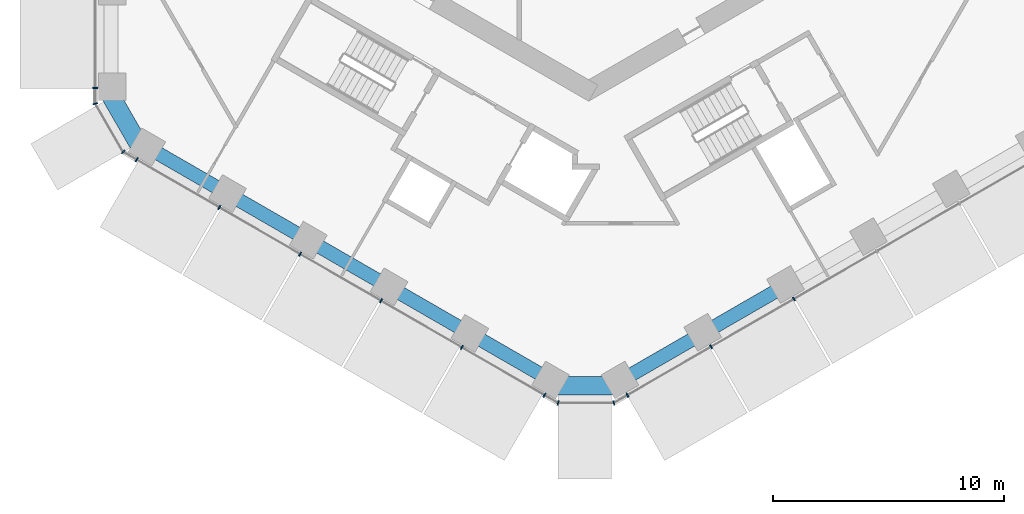
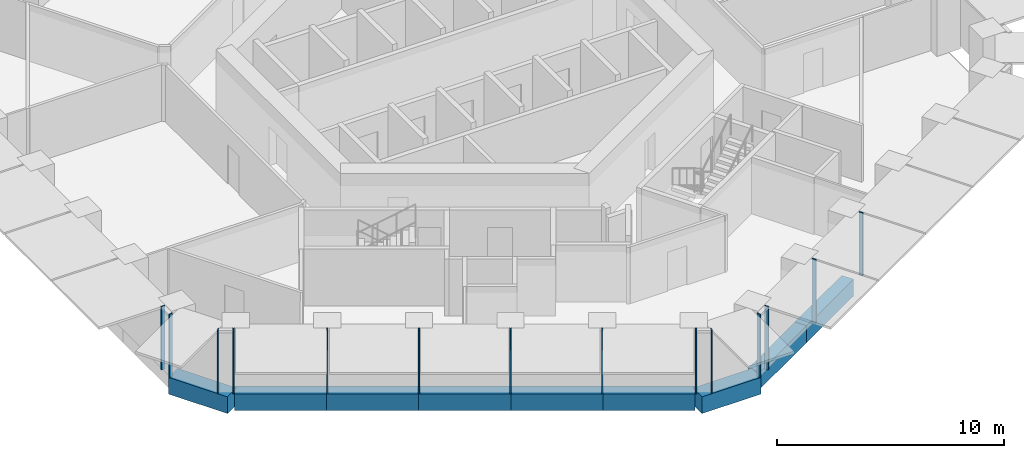
# One storey, part 2 of 19: 14 members, 9 beams, 5 elements without a shape of their own.
"""IFC4 building model written with IfcOpenShell, lengths in metres."""

from ifc_helpers import new_model, si_unit, direction, frame, origin, origin_2d, place, context, subcontext, project, spatial, rectangle, extrude, material, layer, layer_set, material_profile, profile_set, type_object, element, aggregate, save


model = new_model("IFC4")

# Units and contexts
model_context = context("Model", 3, precision=1e-05, world=origin(), true_north=direction((0.0, 1.0)))
body_context = subcontext(model_context, "Body", "Model", "MODEL_VIEW")
ifc_project = project(units=[si_unit("LENGTHUNIT", "METRE"), si_unit("AREAUNIT", "SQUARE_METRE"), si_unit("VOLUMEUNIT", "CUBIC_METRE"), si_unit("PLANEANGLEUNIT", "RADIAN"), si_unit("MASSUNIT", "GRAM", prefix="KILO")], contexts=[model_context])

# Site, building, storey
site_placement = place(None, origin())
site = spatial("IfcSite", under=ifc_project, at=site_placement, CompositionType="ELEMENT")
building_placement = place(site_placement, origin())
building = spatial("IfcBuilding", under=site, at=building_placement, Name="Ayvan Gate Tower", CompositionType="ELEMENT")
storey_placement = place(building_placement, frame((0.0, 0.0, 32.300048828125)))
storey = spatial("IfcBuildingStorey", under=building, at=storey_placement, Name="L07", CompositionType="ELEMENT", Elevation=32.300048828125)

# Beams
ifc_material_1 = material(Name="Concrete C40/50", Category="concrete")
ifc_material_profile_1 = material_profile(ifc_material_1, rectangle(XDim=0.800048828125, YDim=0.89990234375, at=origin_2d()), Name="RC 800x900")
ifc_profile_set_1 = profile_set([ifc_material_profile_1], Name="Concrete C40/50")
beam_type_1 = type_object("IfcBeamType", Name="Corner spandrel beam RC 800x900 C40/50", PredefinedType="BEAM", material=ifc_profile_set_1)
beam_1_placement = place(storey_placement, frame((-20.870361328125, -10.4384765625, -0.800048828125), z_axis=(0.50002537861, -0.866010750942, 0.0), x_axis=(0.866010750942, 0.50002537861, 0.0)))
element("IfcBeam", 1, at=beam_1_placement, inside=storey, type_object=beam_type_1, Name="SB-L07-24", PredefinedType="BEAM", context=body_context, shape_type="SweptSolid", body=[
    extrude(rectangle(XDim=0.800048828125, YDim=0.89990234375, at=origin_2d()), origin(), (0.0, 0.0, 1.0), 2.999755859375),
])
beam_2_placement = place(storey_placement, frame((-1.604736328125, -23.29345703125, -0.800048828125), z_axis=(1.0, 0.0, 0.0), x_axis=(0.0, 1.0, 0.0)))
element("IfcBeam", 2, at=beam_2_placement, inside=storey, type_object=beam_type_1, Name="SB-L07-30", PredefinedType="BEAM", context=body_context, shape_type="SweptSolid", body=[
    extrude(rectangle(XDim=0.800048828125, YDim=0.89990234375, at=origin_2d()), origin(), (0.0, 0.0, 1.0), 3.0),
])
ifc_material_profile_2 = material_profile(ifc_material_1, rectangle(XDim=0.60009765625, YDim=0.89990234375, at=origin_2d()), Name="RC 600x900")
ifc_profile_set_2 = profile_set([ifc_material_profile_2], Name="Concrete C40/50")
beam_type_2 = type_object("IfcBeamType", Name="Spandrel beam RC 600x900 C40/50", PredefinedType="BEAM", material=ifc_profile_set_2)
for number, where, z_axis, x_axis, name in (
    (3, (-19.179931640625, -12.926513671875, -0.800048828125), (0.866043353378, -0.499968909104, 0.0), (0.499968909104, 0.866043353378, 0.0), "SB-L07-25"),
    (4, (-15.664794921875, -14.955810546875, -0.800048828125), (0.866002269112, -0.500040068287, 0.0), (0.500040068287, 0.866002269112, 0.0), "SB-L07-26"),
    (5, (-12.14990234375, -16.9853515625, -0.800048828125), (0.866043353378, -0.499968909104, 0.0), (0.499968909104, 0.866043353378, 0.0), "SB-L07-27"),
    (6, (-8.634765625, -19.0146484375, -0.800048828125), (0.866002269112, -0.500040068287, 0.0), (0.500040068287, 0.866002269112, 0.0), "SB-L07-28"),
    (7, (-5.119873046875, -21.044189453125, -0.800048828125), (0.866043353378, -0.499968909104, 0.0), (0.499968909104, 0.866043353378, 0.0), "SB-L07-29"),
):
    element("IfcBeam", number, at=place(storey_placement, frame(where, z_axis=z_axis, x_axis=x_axis)), inside=storey, type_object=beam_type_2, Name=name, PredefinedType="BEAM", context=body_context, shape_type="SweptSolid", body=[
        extrude(rectangle(XDim=0.60009765625, YDim=0.89990234375, at=origin_2d()), origin(), (0.0, 0.0, 1.0), 4.058837890625),
    ])
for number, where, z_axis, x_axis, name in (
    (8, (1.395263671875, -23.073486328125, -0.800048828125), (0.866027148792, 0.499996977546, 0.0), (-0.499996977546, 0.866027148792, 0.0), "SB-L07-31"),
    (9, (4.97314453125, -21.0078125, -0.800048828125), (0.866027148792, 0.499996977546, 0.0), (-0.499996977546, 0.866027148792, 0.0), "SB-L07-32"),
):
    element("IfcBeam", number, at=place(storey_placement, frame(where, z_axis=z_axis, x_axis=x_axis)), inside=storey, type_object=beam_type_2, Name=name, PredefinedType="BEAM", context=body_context, shape_type="SweptSolid", body=[
        extrude(rectangle(XDim=0.60009765625, YDim=0.89990234375, at=origin_2d()), origin(), (0.0, 0.0, 1.0), 4.13134765625),
    ])

# Curtain wall, member
ifc_material_2 = material(Name="Bronze anodised aluminium", Category="aluminium")
ifc_layer_1 = layer(ifc_material_2, 0.199951171875)
ifc_layer_set_1 = layer_set([ifc_layer_1], Name="Bronze anodised aluminium")
curtain_wall_type_1 = type_object("IfcCurtainWallType", Name="Stick curtain wall CW-1", PredefinedType="NOTDEFINED", material=ifc_layer_set_1)
curtain_wall_1_placement = place(storey_placement, origin())
curtain_wall_1 = element("IfcCurtainWall", 10, at=curtain_wall_1_placement, inside=storey, type_object=curtain_wall_type_1, Name="Stick curtain wall CW-1 L07", PredefinedType="NOTDEFINED")
ifc_material_profile_3 = material_profile(ifc_material_2, rectangle(XDim=0.199951171875, YDim=0.06005859375, at=origin_2d()), Name="Stick curtain wall CW-1 mullion 200 x 60")
ifc_profile_set_3 = profile_set([ifc_material_profile_3], Name="Bronze anodised aluminium")
member_type_1 = type_object("IfcMemberType", Name="Stick curtain wall CW-1 mullion 200 x 60", PredefinedType="MULLION", material=ifc_profile_set_3)
member_1_placement = place(storey_placement, frame((-21.365966796875, -10.398681640625, 0.0), z_axis=(0.0, 0.0, 1.0), x_axis=(-1.0, 0.0, 0.0)))
member_1 = element("IfcMember", 11, at=member_1_placement, type_object=member_type_1, Name="CW-1 mullion 6", PredefinedType="MULLION", context=body_context, shape_type="SweptSolid", body=[
    extrude(rectangle(XDim=0.199951171875, YDim=0.06005859375, at=origin_2d()), origin(), (0.0, 0.0, 1.0), 3.39990234375),
])
aggregate(curtain_wall_1, [member_1])

# Curtain wall, members
curtain_wall_2_placement = place(storey_placement, origin())
curtain_wall_2 = element("IfcCurtainWall", 12, at=curtain_wall_2_placement, inside=storey, type_object=curtain_wall_type_1, Name="Stick curtain wall CW-1 L07", PredefinedType="NOTDEFINED")
member_2_placement = place(storey_placement, frame((-19.56982421875, -13.509765625, 0.0), z_axis=(0.0, 0.0, 1.0), x_axis=(-0.5, -0.866025403784, 0.0)))
member_2 = element("IfcMember", 13, at=member_2_placement, type_object=member_type_1, Name="CW-1 mullion 1", PredefinedType="MULLION", context=body_context, shape_type="SweptSolid", body=[
    extrude(rectangle(XDim=0.199951171875, YDim=0.06005859375, at=origin_2d()), origin(), (0.0, 0.0, 1.0), 3.39990234375),
])
member_3_placement = place(storey_placement, frame((-15.98876953125, -15.5771484375, 0.0), z_axis=(0.0, 0.0, 1.0), x_axis=(-0.5, -0.866025403784, 0.0)))
member_3 = element("IfcMember", 14, at=member_3_placement, type_object=member_type_1, Name="CW-1 mullion 2", PredefinedType="MULLION", context=body_context, shape_type="SweptSolid", body=[
    extrude(rectangle(XDim=0.199951171875, YDim=0.06005859375, at=origin_2d()), origin(), (0.0, 0.0, 1.0), 3.39990234375),
])
member_4_placement = place(storey_placement, frame((-12.490966796875, -17.5966796875, 0.0), z_axis=(0.0, 0.0, 1.0), x_axis=(-0.5, -0.866025403784, 0.0)))
member_4 = element("IfcMember", 15, at=member_4_placement, type_object=member_type_1, Name="CW-1 mullion 3", PredefinedType="MULLION", context=body_context, shape_type="SweptSolid", body=[
    extrude(rectangle(XDim=0.199951171875, YDim=0.06005859375, at=origin_2d()), origin(), (0.0, 0.0, 1.0), 3.39990234375),
])
member_5_placement = place(storey_placement, frame((-8.993896484375, -19.61572265625, 0.0), z_axis=(0.0, 0.0, 1.0), x_axis=(-0.5, -0.866025403784, 0.0)))
member_5 = element("IfcMember", 16, at=member_5_placement, type_object=member_type_1, Name="CW-1 mullion 4", PredefinedType="MULLION", context=body_context, shape_type="SweptSolid", body=[
    extrude(rectangle(XDim=0.199951171875, YDim=0.06005859375, at=origin_2d()), origin(), (0.0, 0.0, 1.0), 3.39990234375),
])
member_6_placement = place(storey_placement, frame((-5.495849609375, -21.63525390625, 0.0), z_axis=(0.0, 0.0, 1.0), x_axis=(-0.5, -0.866025403784, 0.0)))
member_6 = element("IfcMember", 17, at=member_6_placement, type_object=member_type_1, Name="CW-1 mullion 5", PredefinedType="MULLION", context=body_context, shape_type="SweptSolid", body=[
    extrude(rectangle(XDim=0.199951171875, YDim=0.06005859375, at=origin_2d()), origin(), (0.0, 0.0, 1.0), 3.39990234375),
])
member_7_placement = place(storey_placement, frame((-1.914794921875, -23.70263671875, 0.0), z_axis=(0.0, 0.0, 1.0), x_axis=(-0.5, -0.866025403784, 0.0)))
member_7 = element("IfcMember", 18, at=member_7_placement, type_object=member_type_1, Name="CW-1 mullion 6", PredefinedType="MULLION", context=body_context, shape_type="SweptSolid", body=[
    extrude(rectangle(XDim=0.199951171875, YDim=0.06005859375, at=origin_2d()), origin(), (0.0, 0.0, 1.0), 3.39990234375),
])
aggregate(curtain_wall_2, [member_2, member_3, member_4, member_5, member_6, member_7])

curtain_wall_3_placement = place(storey_placement, origin())
curtain_wall_3 = element("IfcCurtainWall", 19, at=curtain_wall_3_placement, inside=storey, type_object=curtain_wall_type_1, Name="Stick curtain wall CW-1 L07", PredefinedType="NOTDEFINED")
member_8_placement = place(storey_placement, frame((1.677490234375, -23.70263671875, 0.0), z_axis=(0.0, 0.0, 1.0), x_axis=(0.5, -0.866025403784, 0.0)))
member_8 = element("IfcMember", 20, at=member_8_placement, type_object=member_type_1, Name="CW-1 mullion 1", PredefinedType="MULLION", context=body_context, shape_type="SweptSolid", body=[
    extrude(rectangle(XDim=0.199951171875, YDim=0.06005859375, at=origin_2d()), origin(), (0.0, 0.0, 1.0), 3.39990234375),
])
member_9_placement = place(storey_placement, frame((5.302734375, -21.60986328125, 0.0), z_axis=(0.0, 0.0, 1.0), x_axis=(0.5, -0.866025403784, 0.0)))
member_9 = element("IfcMember", 21, at=member_9_placement, type_object=member_type_1, Name="CW-1 mullion 2", PredefinedType="MULLION", context=body_context, shape_type="SweptSolid", body=[
    extrude(rectangle(XDim=0.199951171875, YDim=0.06005859375, at=origin_2d()), origin(), (0.0, 0.0, 1.0), 3.39990234375),
])
member_10_placement = place(storey_placement, frame((8.8896484375, -19.538818359375, 0.0), z_axis=(0.0, 0.0, 1.0), x_axis=(0.5, -0.866025403784, 0.0)))
member_10 = element("IfcMember", 22, at=member_10_placement, type_object=member_type_1, Name="CW-1 mullion 3", PredefinedType="MULLION", context=body_context, shape_type="SweptSolid", body=[
    extrude(rectangle(XDim=0.199951171875, YDim=0.06005859375, at=origin_2d()), origin(), (0.0, 0.0, 1.0), 3.39990234375),
])
aggregate(curtain_wall_3, [member_8, member_9, member_10])

ifc_layer_2 = layer(ifc_material_2, 0.199951171875)
ifc_layer_set_2 = layer_set([ifc_layer_2], Name="Bronze anodised aluminium")
curtain_wall_type_2 = type_object("IfcCurtainWallType", Name="Stick curtain wall CW-6", PredefinedType="NOTDEFINED", material=ifc_layer_set_2)
curtain_wall_4_placement = place(storey_placement, origin())
curtain_wall_4 = element("IfcCurtainWall", 23, at=curtain_wall_4_placement, inside=storey, type_object=curtain_wall_type_2, Name="Stick curtain wall CW-6 L07", PredefinedType="NOTDEFINED")
ifc_material_profile_4 = material_profile(ifc_material_2, rectangle(XDim=0.199951171875, YDim=0.050048828125, at=origin_2d()), Name="Stick curtain wall CW-6 mullion 200 x 50")
ifc_profile_set_4 = profile_set([ifc_material_profile_4], Name="Bronze anodised aluminium")
member_type_2 = type_object("IfcMemberType", Name="Stick curtain wall CW-6 mullion 200 x 50", PredefinedType="MULLION", material=ifc_profile_set_4)
member_11_placement = place(storey_placement, frame((-21.365966796875, -11.07861328125, 0.0), z_axis=(0.0, 0.0, 1.0), x_axis=(-0.965925826289, -0.258819045103, 0.0)))
member_11 = element("IfcMember", 24, at=member_11_placement, type_object=member_type_2, Name="CW-6 mullion 2", PredefinedType="MULLION", context=body_context, shape_type="SweptSolid", body=[
    extrude(rectangle(XDim=0.199951171875, YDim=0.050048828125, at=origin_2d()), origin(), (0.0, 0.0, 1.0), 3.39990234375),
])
member_12_placement = place(storey_placement, frame((-20.15869140625, -13.169677734375, 0.0), z_axis=(0.0, 0.0, 1.0), x_axis=(-0.707106781187, -0.707106781187, 0.0)))
member_12 = element("IfcMember", 25, at=member_12_placement, type_object=member_type_2, Name="CW-6 mullion 3", PredefinedType="MULLION", context=body_context, shape_type="SweptSolid", body=[
    extrude(rectangle(XDim=0.199951171875, YDim=0.050048828125, at=origin_2d()), origin(), (0.0, 0.0, 1.0), 3.39990234375),
])
aggregate(curtain_wall_4, [member_11, member_12])

curtain_wall_5_placement = place(storey_placement, origin())
curtain_wall_5 = element("IfcCurtainWall", 26, at=curtain_wall_5_placement, inside=storey, type_object=curtain_wall_type_2, Name="Stick curtain wall CW-6 L07", PredefinedType="NOTDEFINED")
member_13_placement = place(storey_placement, frame((-1.325927734375, -24.042724609375, 0.0), z_axis=(0.0, 0.0, 1.0), x_axis=(-0.258819045103, -0.965925826289, 0.0)))
member_13 = element("IfcMember", 27, at=member_13_placement, type_object=member_type_2, Name="CW-6 mullion 2", PredefinedType="MULLION", context=body_context, shape_type="SweptSolid", body=[
    extrude(rectangle(XDim=0.199951171875, YDim=0.050048828125, at=origin_2d()), origin(), (0.0, 0.0, 1.0), 3.39990234375),
])
member_14_placement = place(storey_placement, frame((1.088623046875, -24.042724609375, 0.0), z_axis=(0.0, 0.0, 1.0), x_axis=(0.258819045103, -0.965925826289, 0.0)))
member_14 = element("IfcMember", 28, at=member_14_placement, type_object=member_type_2, Name="CW-6 mullion 3", PredefinedType="MULLION", context=body_context, shape_type="SweptSolid", body=[
    extrude(rectangle(XDim=0.199951171875, YDim=0.050048828125, at=origin_2d()), origin(), (0.0, 0.0, 1.0), 3.39990234375),
])
aggregate(curtain_wall_5, [member_13, member_14])

save(model, "model.ifc")
